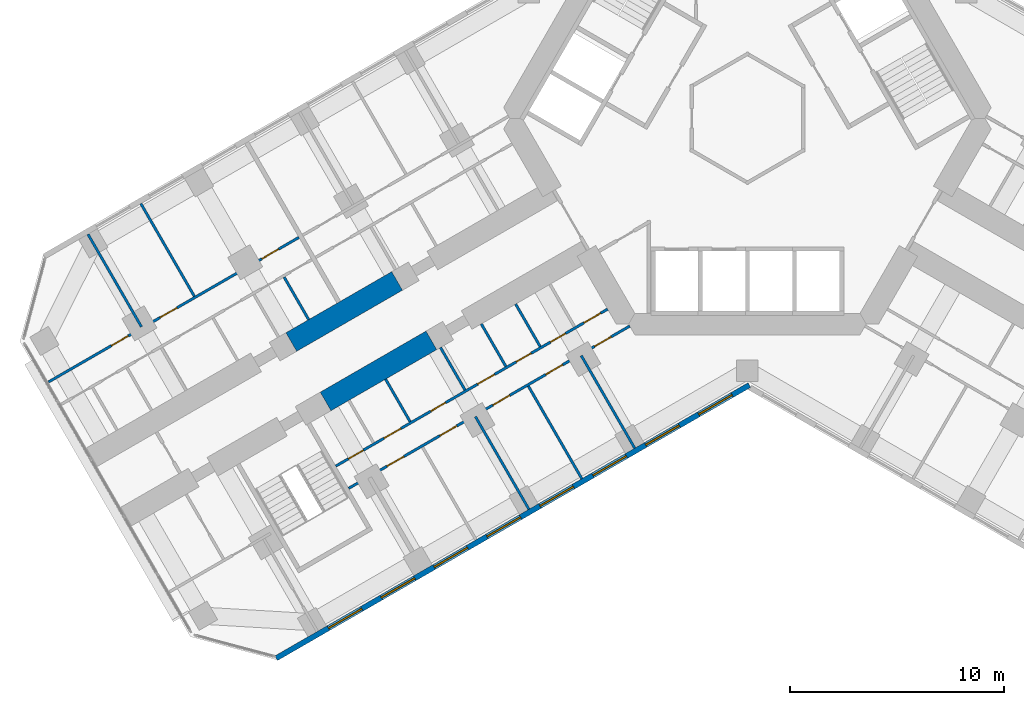
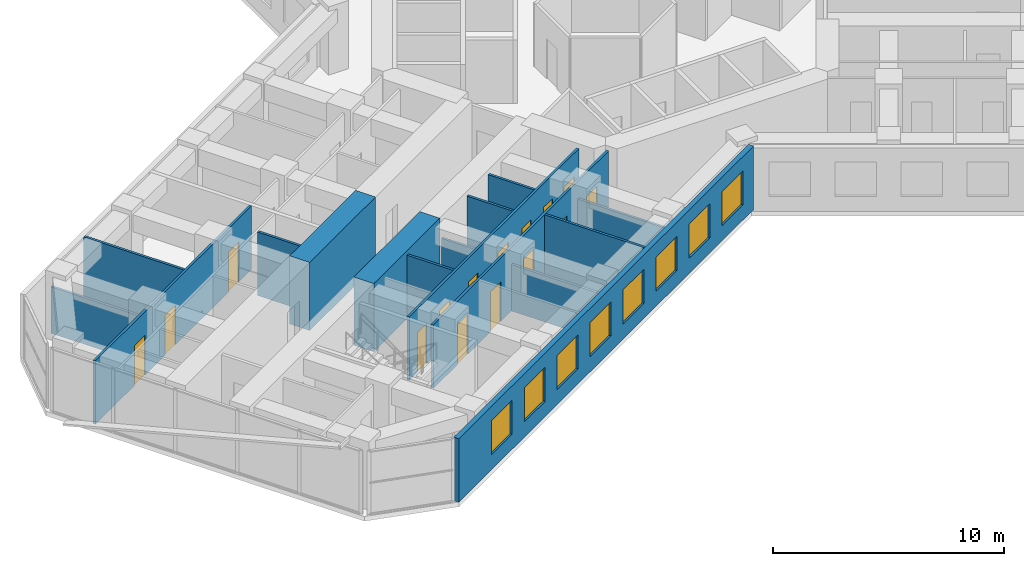
# One storey, part 11 of 21: 16 walls, 15 doors, 8 windows, 23 openings.
"""IFC4 building model written with IfcOpenShell, lengths in metres."""

import ifcopenshell
import ifcopenshell.guid

model = None  # the IFC model being written
_history = None  # IfcOwnerHistory: only IFC2X3 demands one
_inside = {}  # id of a spatial element -> (the spatial element, [elements in it])
_under = {}  # id of a project, library or spatial element -> (it, [spatial elements below it])
_declared = {}  # id of a project -> (the project, [libraries it declares])
_typed = {}  # id of a type object -> (the type object, [elements of that type])
_made_of = {}  # id of a material, layer set ... -> (it, [elements and type objects made of it])


def new_model(schema):
    """Start an empty IFC model of exactly this schema.

    Asked for "IFC4X3", IfcOpenShell would pick the latest addendum, in which some entities
    have other attributes; the version numbers below select the first issue.
    IFC2X3 requires an IfcOwnerHistory on every rooted entity: one is made here for all.
    """
    global model, _history
    if schema == "IFC4X3":
        model = ifcopenshell.file(schema_version=(4, 3, 0, 0))
    else:
        model = ifcopenshell.file(schema=schema)
    _inside.clear()
    _under.clear()
    _declared.clear()
    _typed.clear()
    _made_of.clear()
    _history = None
    if model.schema == "IFC2X3":
        org = make("IfcOrganization", Name="unknown")
        user = make(
            "IfcPersonAndOrganization",
            ThePerson=make("IfcPerson", FamilyName="unknown"),
            TheOrganization=org,
        )
        app = make(
            "IfcApplication",
            ApplicationDeveloper=org,
            Version="unknown",
            ApplicationFullName="unknown",
            ApplicationIdentifier="unknown",
        )
        _history = make(
            "IfcOwnerHistory",
            OwningUser=user,
            OwningApplication=app,
            ChangeAction="ADDED",
            CreationDate=0,
        )
    return model


def make(cls, **values):
    """One entity of the class cls with the attributes given. An attribute that is None is left unset."""
    return model.create_entity(
        cls, **{name: value for name, value in values.items() if value is not None}
    )


def rooted(cls, **values):
    """An entity with a GlobalId (a new one), such as an element, a storey or a relation."""
    return make(cls, GlobalId=ifcopenshell.guid.new(), OwnerHistory=_history, **values)


def si_unit(unit_type, name, prefix=None):
    """IfcSIUnit, for example si_unit("LENGTHUNIT", "METRE", prefix="MILLI")."""
    return make("IfcSIUnit", UnitType=unit_type, Prefix=prefix, Name=name)


def assignment(units):
    """IfcUnitAssignment: the units of a project."""
    return None if units is None else make("IfcUnitAssignment", Units=units)


def point(xyz):
    """IfcCartesianPoint."""
    return None if xyz is None else make("IfcCartesianPoint", Coordinates=xyz)


def direction(xyz):
    """IfcDirection."""
    return None if xyz is None else make("IfcDirection", DirectionRatios=xyz)


def frame(location, z_axis=None, x_axis=None):
    """IfcAxis2Placement3D, a coordinate frame: its origin and axes. An axis left out is left unset."""
    return make(
        "IfcAxis2Placement3D",
        Location=point(location),
        Axis=direction(z_axis),
        RefDirection=direction(x_axis),
    )


def frame_2d(location, x_axis=None):
    """IfcAxis2Placement2D, a coordinate frame in the plane: its origin and x axis."""
    return make(
        "IfcAxis2Placement2D", Location=point(location), RefDirection=direction(x_axis)
    )


def origin():
    """The frame at (0, 0, 0) with its axes left unset."""
    return frame((0.0, 0.0, 0.0))


def place(relative_to, where):
    """IfcLocalPlacement: puts the frame where relative to a parent placement (None: the world)."""
    return make(
        "IfcLocalPlacement", PlacementRelTo=relative_to, RelativePlacement=where
    )


def context(
    kind, dimensions, precision=None, world=None, true_north=None, identifier=None
):
    """IfcGeometricRepresentationContext, for example the 3D "Model" context."""
    return make(
        "IfcGeometricRepresentationContext",
        ContextIdentifier=identifier,
        ContextType=kind,
        CoordinateSpaceDimension=dimensions,
        Precision=precision,
        WorldCoordinateSystem=world,
        TrueNorth=true_north,
    )


def subcontext(parent, identifier, kind, view, scale=None):
    """IfcGeometricRepresentationSubContext, for example "Body" below "Model"."""
    return make(
        "IfcGeometricRepresentationSubContext",
        ContextIdentifier=identifier,
        ContextType=kind,
        ParentContext=parent,
        TargetScale=scale,
        TargetView=view,
    )


def project(units=None, contexts=None):
    """IfcProject with its units and contexts."""
    return rooted(
        "IfcProject",
        Name="project",
        RepresentationContexts=contexts,
        UnitsInContext=assignment(units),
    )


def spatial(cls, under=None, at=None, **own):
    """A site, building, storey or space (cls), placed at a placement, below another one or the project."""
    s = rooted(cls, ObjectPlacement=at, **own)
    if under is not None:
        _under.setdefault(under.id(), (under, []))[1].append(s)
    return s


def profile(cls, at=None, kind="AREA", **sizes):
    """A parametric profile (cls). Its sizes go by their IFC names, for example OverallWidth=200.0."""
    return make(cls, ProfileType=kind, Position=at, **sizes)


def rectangle(**sizes):
    """IfcRectangleProfileDef."""
    return profile("IfcRectangleProfileDef", **sizes)


def extrude(swept, where, along, depth):
    """IfcExtrudedAreaSolid: the profile swept, set in the frame where, extruded along a direction by depth."""
    return make(
        "IfcExtrudedAreaSolid",
        SweptArea=swept,
        Position=where,
        ExtrudedDirection=direction(along),
        Depth=depth,
    )


def shape(context_of_items, identifier, shape_type, items):
    """IfcShapeRepresentation: the items that make up one representation, for example the "Body"."""
    return make(
        "IfcShapeRepresentation",
        ContextOfItems=context_of_items,
        RepresentationIdentifier=identifier,
        RepresentationType=shape_type,
        Items=items,
    )


def material(Name=None, Category=None):
    """IfcMaterial."""
    return make("IfcMaterial", Name=Name, Category=Category)


def layer(
    of_material, thickness, ventilated=None, Name=None, Category=None, Priority=None
):
    """IfcMaterialLayer: one layer of a wall or slab, of a material (None: an air gap)."""
    return make(
        "IfcMaterialLayer",
        Material=of_material,
        LayerThickness=thickness,
        IsVentilated=ventilated,
        Name=Name,
        Category=Category,
        Priority=Priority,
    )


def layer_set(layers, Name=None):
    """IfcMaterialLayerSet."""
    return make("IfcMaterialLayerSet", MaterialLayers=layers, LayerSetName=Name)


def made_of(thing, what):
    """Note that an element or type object is made of a material, layer set ...; save() writes the relation."""
    if what is not None:
        _made_of.setdefault(what.id(), (what, []))[1].append(thing)
    return thing


def type_object(cls, material=None, **own):
    """A type object (cls), such as IfcWallType, which elements share."""
    return made_of(rooted(cls, **own), material)


def element(
    cls,
    number,
    at=None,
    inside=None,
    cuts=None,
    type_object=None,
    material=None,
    context=None,
    identifier="Body",
    shape_type=None,
    held_by="IfcProductDefinitionShape",
    body=None,
    shapes=None,
    **own,
):
    """One element of the class cls, such as IfcWall. Its Tag is "e" and its number.

    at: its placement. inside: the storey or other place that contains it. cuts: it is an
    opening in that element (IfcRelVoidsElement). A single representation is given by context,
    identifier, shape_type and body (its items); several are given by shapes. held_by: the class
    of the entity that holds the representations. save() writes the other relations.
    """
    e = rooted(cls, Tag="e%d" % number, ObjectPlacement=at, **own)
    if body is not None:
        shapes = [shape(context, identifier, shape_type, body)]
    if shapes is not None:
        e.Representation = make(held_by, Representations=shapes)
    if inside is not None:
        _inside.setdefault(inside.id(), (inside, []))[1].append(e)
    if cuts is not None:
        rooted(
            "IfcRelVoidsElement", RelatingBuildingElement=cuts, RelatedOpeningElement=e
        )
    if type_object is not None:
        _typed.setdefault(type_object.id(), (type_object, []))[1].append(e)
    return made_of(e, material)


def fill(opening, filler):
    """IfcRelFillsElement: the door or window that sits in an opening."""
    return rooted(
        "IfcRelFillsElement",
        RelatingOpeningElement=opening,
        RelatedBuildingElement=filler,
    )


def aggregate(whole, parts):
    """IfcRelAggregates: a whole, such as a stair, and the parts it consists of."""
    return rooted("IfcRelAggregates", RelatingObject=whole, RelatedObjects=parts)


def save(model, path):
    """Write the relations noted so far, then the file.

    IfcRelAggregates (storeys below a building ...), IfcRelContainedInSpatialStructure (elements
    in a storey), IfcRelDefinesByType, IfcRelAssociatesMaterial and IfcRelDeclares: one each for
    every whole, place, type object, material and project.
    """
    for whole, parts in _under.values():
        aggregate(whole, parts)
    for where, things in _inside.values():
        rooted(
            "IfcRelContainedInSpatialStructure",
            RelatedElements=things,
            RelatingStructure=where,
        )
    for kind, things in _typed.values():
        rooted("IfcRelDefinesByType", RelatedObjects=things, RelatingType=kind)
    for what, things in _made_of.values():
        rooted("IfcRelAssociatesMaterial", RelatedObjects=things, RelatingMaterial=what)
    for by, libraries in _declared.values():
        rooted("IfcRelDeclares", RelatingContext=by, RelatedDefinitions=libraries)
    model.write(path)


model = new_model("IFC4")

# Units and contexts
model_context = context("Model", 3, precision=1e-05, world=origin(), true_north=direction((0.0, 1.0)))
body_context = subcontext(model_context, "Body", "Model", "MODEL_VIEW")
ifc_project = project(units=[si_unit("LENGTHUNIT", "METRE"), si_unit("AREAUNIT", "SQUARE_METRE"), si_unit("VOLUMEUNIT", "CUBIC_METRE"), si_unit("PLANEANGLEUNIT", "RADIAN"), si_unit("MASSUNIT", "GRAM", prefix="KILO")], contexts=[model_context])

# Site, building, storey
site_placement = place(None, origin())
site = spatial("IfcSite", under=ifc_project, at=site_placement, CompositionType="ELEMENT")
building_placement = place(site_placement, origin())
building = spatial("IfcBuilding", under=site, at=building_placement, Name="Kosmar Iwan School Tower", CompositionType="ELEMENT")
storey_placement = place(building_placement, frame((0.0, 0.0, 68.199951171875)))
storey = spatial("IfcBuildingStorey", under=building, at=storey_placement, Name="L16", CompositionType="ELEMENT", Elevation=68.199951171875)

# Walls
ifc_material_1 = material(Name="Concrete C50/60", Category="concrete")
ifc_layer_1 = layer(ifc_material_1, 1.0)
ifc_layer_set_1 = layer_set([ifc_layer_1], Name="Corridor buttress wall 1000")
wall_type_1 = type_object("IfcWallType", Name="Corridor buttress wall 1000", PredefinedType="SHEAR", material=ifc_layer_set_1)
for number, where, z_axis, x_axis, name in (
    (1, (-14.7451171875, -10.360595703125, 0.0), (0.0, 0.0, 1.0), (-0.866015111908, -0.50001782563, 0.0), "Corridor wall BL bay 2"),
    (2, (-16.34521484375, -7.58935546875, 0.0), (0.0, 0.0, 1.0), (-0.866015111908, -0.50001782563, 0.0), "Corridor wall BR bay 2"),
):
    element("IfcWall", number, at=place(storey_placement, frame(where, z_axis=z_axis, x_axis=x_axis)), inside=storey, type_object=wall_type_1, Name=name, PredefinedType="SHEAR", context=body_context, shape_type="SweptSolid", body=[
        extrude(rectangle(XDim=5.699951171875, YDim=1.0, at=frame_2d((2.85009765625, 0.0))), origin(), (0.0, 0.0, 1.0), 3.60009765625),
    ])

# Wall, openings, doors
ifc_material_2 = material(Name="Gypsum board on steel studs", Category="steel")
ifc_layer_2 = layer(ifc_material_2, 0.1201171875)
ifc_layer_set_2 = layer_set([ifc_layer_2], Name="Dwelling partition 120")
wall_type_2 = type_object("IfcWallType", Name="Dwelling partition 120", PredefinedType="PARTITIONING", material=ifc_layer_set_2)
wall_1_placement = place(storey_placement, frame((-6.521728515625, -8.90380859375, 0.0), z_axis=(0.0, 0.0, 1.0), x_axis=(-0.866030734856, -0.4999907662, 0.0)))
wall_1 = element("IfcWall", 3, at=wall_1_placement, inside=storey, type_object=wall_type_2, Name="Partition L16-BL1-W1", PredefinedType="PARTITIONING", context=body_context, shape_type="SweptSolid", body=[
    extrude(rectangle(XDim=14.650146484375, YDim=0.1201171875, at=frame_2d((7.3251953125, 0.0))), origin(), (0.0, 0.0, 1.0), 3.35009765625),
])
opening_1_placement = place(wall_1_placement, frame((0.375, 0.0, 0.0)))
opening_1 = element("IfcOpeningElement", 4, at=opening_1_placement, cuts=wall_1, Name="Opening D2", PredefinedType="OPENING", context=body_context, shape_type="SweptSolid", body=[
    extrude(rectangle(XDim=0.89990234375, YDim=2.10009765625, at=frame_2d((0.449951171875, 1.050048828125))), frame((0.0, 0.072021484375, 0.0), z_axis=(0.0, -1.0, 0.0), x_axis=(1.0, 0.0, 0.0)), (0.0, 0.0, 1.0), 0.14404296875),
])
opening_2_placement = place(wall_1_placement, frame((2.27490234375, 0.0, 0.0)))
opening_2 = element("IfcOpeningElement", 5, at=opening_2_placement, cuts=wall_1, Name="Opening D3", PredefinedType="OPENING", context=body_context, shape_type="SweptSolid", body=[
    extrude(rectangle(XDim=0.800048828125, YDim=2.10009765625, at=frame_2d((0.39990234375, 1.050048828125))), frame((0.0, 0.072021484375, 0.0), z_axis=(0.0, -1.0, 0.0), x_axis=(1.0, 0.0, 0.0)), (0.0, 0.0, 1.0), 0.14404296875),
])
opening_3_placement = place(wall_1_placement, frame((4.125, 0.0, 0.0)))
opening_3 = element("IfcOpeningElement", 6, at=opening_3_placement, cuts=wall_1, Name="Opening D3", PredefinedType="OPENING", context=body_context, shape_type="SweptSolid", body=[
    extrude(rectangle(XDim=0.800048828125, YDim=2.10009765625, at=frame_2d((0.39990234375, 1.050048828125))), frame((0.0, 0.072021484375, 0.0), z_axis=(0.0, -1.0, 0.0), x_axis=(1.0, 0.0, 0.0)), (0.0, 0.0, 1.0), 0.14404296875),
])
opening_4_placement = place(wall_1_placement, frame((6.10009765625, 0.0, 0.0)))
opening_4 = element("IfcOpeningElement", 7, at=opening_4_placement, cuts=wall_1, Name="Opening D2", PredefinedType="OPENING", context=body_context, shape_type="SweptSolid", body=[
    extrude(rectangle(XDim=0.89990234375, YDim=2.10009765625, at=frame_2d((0.449951171875, 1.050048828125))), frame((0.0, 0.072021484375, 0.0), z_axis=(0.0, -1.0, 0.0), x_axis=(1.0, 0.0, 0.0)), (0.0, 0.0, 1.0), 0.14404296875),
])
opening_5_placement = place(wall_1_placement, frame((8.728515625, 0.0, 0.0)))
opening_5 = element("IfcOpeningElement", 8, at=opening_5_placement, cuts=wall_1, Name="Opening D3", PredefinedType="OPENING", context=body_context, shape_type="SweptSolid", body=[
    extrude(rectangle(XDim=0.800048828125, YDim=2.10009765625, at=frame_2d((0.39990234375, 1.050048828125))), frame((0.0, 0.072021484375, 0.0), z_axis=(0.0, -1.0, 0.0), x_axis=(1.0, 0.0, 0.0)), (0.0, 0.0, 1.0), 0.14404296875),
])
opening_6_placement = place(wall_1_placement, frame((11.142822265625, 0.0, 0.0)))
opening_6 = element("IfcOpeningElement", 9, at=opening_6_placement, cuts=wall_1, Name="Opening D2", PredefinedType="OPENING", context=body_context, shape_type="SweptSolid", body=[
    extrude(rectangle(XDim=0.89990234375, YDim=2.10009765625, at=frame_2d((0.449951171875, 1.050048828125))), frame((0.0, 0.072021484375, 0.0), z_axis=(0.0, -1.0, 0.0), x_axis=(1.0, 0.0, 0.0)), (0.0, 0.0, 1.0), 0.14404296875),
])
opening_7_placement = place(wall_1_placement, frame((13.164306640625, 0.0, 0.0)))
opening_7 = element("IfcOpeningElement", 10, at=opening_7_placement, cuts=wall_1, Name="Opening D3", PredefinedType="OPENING", context=body_context, shape_type="SweptSolid", body=[
    extrude(rectangle(XDim=0.800048828125, YDim=2.10009765625, at=frame_2d((0.39990234375, 1.050048828125))), frame((0.0, 0.072021484375, 0.0), z_axis=(0.0, -1.0, 0.0), x_axis=(1.0, 0.0, 0.0)), (0.0, 0.0, 1.0), 0.14404296875),
])
ifc_material_3 = material(Name="Timber door in timber frame", Category="wood")
door_type_1 = type_object("IfcDoorType", Name="Internal door 900x2100", OperationType="SINGLE_SWING_LEFT", PredefinedType="DOOR", material=ifc_material_3)
door_1_placement = place(opening_1_placement, origin())
door_1 = element("IfcDoor", 11, at=door_1_placement, inside=storey, type_object=door_type_1, Name="Utility room door L16-BL1-S1", OperationType="SINGLE_SWING_LEFT", OverallHeight=2.10009765625, OverallWidth=0.89990234375, PredefinedType="DOOR", context=body_context, shape_type="SweptSolid", body=[
    extrude(rectangle(XDim=0.89990234375, YDim=2.10009765625, at=frame_2d((0.449951171875, 1.050048828125))), frame((0.0, 0.02490234375, 0.0), z_axis=(0.0, -1.0, 0.0), x_axis=(1.0, 0.0, 0.0)), (0.0, 0.0, 1.0), 0.050048828125),
])
fill(opening_1, door_1)
door_2_placement = place(opening_4_placement, origin())
door_2 = element("IfcDoor", 12, at=door_2_placement, inside=storey, type_object=door_type_1, Name="Entrance hall door L16-BL1-S4", OperationType="SINGLE_SWING_LEFT", OverallHeight=2.10009765625, OverallWidth=0.89990234375, PredefinedType="DOOR", context=body_context, shape_type="SweptSolid", body=[
    extrude(rectangle(XDim=0.89990234375, YDim=2.10009765625, at=frame_2d((0.449951171875, 1.050048828125))), frame((0.0, 0.02490234375, 0.0), z_axis=(0.0, -1.0, 0.0), x_axis=(1.0, 0.0, 0.0)), (0.0, 0.0, 1.0), 0.050048828125),
])
fill(opening_4, door_2)
door_3_placement = place(opening_6_placement, origin())
door_3 = element("IfcDoor", 13, at=door_3_placement, inside=storey, type_object=door_type_1, Name="Pantry door L16-BL1-S6", OperationType="SINGLE_SWING_RIGHT", OverallHeight=2.10009765625, OverallWidth=0.89990234375, PredefinedType="DOOR", context=body_context, shape_type="SweptSolid", body=[
    extrude(rectangle(XDim=0.89990234375, YDim=2.10009765625, at=frame_2d((0.449951171875, 1.050048828125))), frame((0.0, 0.02490234375, 0.0), z_axis=(0.0, -1.0, 0.0), x_axis=(1.0, 0.0, 0.0)), (0.0, 0.0, 1.0), 0.050048828125),
])
fill(opening_6, door_3)
ifc_material_4 = material(Name="Timber door in timber frame", Category="wood")
door_type_2 = type_object("IfcDoorType", Name="Sanitary room door 800x2100", OperationType="SINGLE_SWING_LEFT", PredefinedType="DOOR", material=ifc_material_4)
door_4_placement = place(opening_2_placement, origin())
door_4 = element("IfcDoor", 14, at=door_4_placement, inside=storey, type_object=door_type_2, Name="WC door L16-BL1-S2", OperationType="SINGLE_SWING_LEFT", OverallHeight=2.10009765625, OverallWidth=0.800048828125, PredefinedType="DOOR", context=body_context, shape_type="SweptSolid", body=[
    extrude(rectangle(XDim=0.800048828125, YDim=2.10009765625, at=frame_2d((0.39990234375, 1.050048828125))), frame((0.0, 0.02490234375, 0.0), z_axis=(0.0, -1.0, 0.0), x_axis=(1.0, 0.0, 0.0)), (0.0, 0.0, 1.0), 0.050048828125),
])
fill(opening_2, door_4)
door_5_placement = place(opening_3_placement, origin())
door_5 = element("IfcDoor", 15, at=door_5_placement, inside=storey, type_object=door_type_2, Name="Shower room door L16-BL1-S3", OperationType="SINGLE_SWING_LEFT", OverallHeight=2.10009765625, OverallWidth=0.800048828125, PredefinedType="DOOR", context=body_context, shape_type="SweptSolid", body=[
    extrude(rectangle(XDim=0.800048828125, YDim=2.10009765625, at=frame_2d((0.39990234375, 1.050048828125))), frame((0.0, 0.02490234375, 0.0), z_axis=(0.0, -1.0, 0.0), x_axis=(1.0, 0.0, 0.0)), (0.0, 0.0, 1.0), 0.050048828125),
])
fill(opening_3, door_5)
door_6_placement = place(opening_5_placement, origin())
door_6 = element("IfcDoor", 16, at=door_6_placement, inside=storey, type_object=door_type_2, Name="Bathroom door L16-BL1-S5", OperationType="SINGLE_SWING_RIGHT", OverallHeight=2.10009765625, OverallWidth=0.800048828125, PredefinedType="DOOR", context=body_context, shape_type="SweptSolid", body=[
    extrude(rectangle(XDim=0.800048828125, YDim=2.10009765625, at=frame_2d((0.39990234375, 1.050048828125))), frame((0.0, 0.02490234375, 0.0), z_axis=(0.0, -1.0, 0.0), x_axis=(1.0, 0.0, 0.0)), (0.0, 0.0, 1.0), 0.050048828125),
])
fill(opening_5, door_6)
door_7_placement = place(opening_7_placement, origin())
door_7 = element("IfcDoor", 17, at=door_7_placement, inside=storey, type_object=door_type_2, Name="Store door L16-BL1-S7", OperationType="SINGLE_SWING_RIGHT", OverallHeight=2.10009765625, OverallWidth=0.800048828125, PredefinedType="DOOR", context=body_context, shape_type="SweptSolid", body=[
    extrude(rectangle(XDim=0.800048828125, YDim=2.10009765625, at=frame_2d((0.39990234375, 1.050048828125))), frame((0.0, 0.02490234375, 0.0), z_axis=(0.0, -1.0, 0.0), x_axis=(1.0, 0.0, 0.0)), (0.0, 0.0, 1.0), 0.050048828125),
])
fill(opening_7, door_7)

wall_2_placement = place(storey_placement, frame((-5.48876953125, -9.693115234375, 0.0), z_axis=(0.0, 0.0, 1.0), x_axis=(-0.866028061085, -0.499995397393, 0.0)))
wall_2 = element("IfcWall", 18, at=wall_2_placement, inside=storey, type_object=wall_type_2, Name="Partition L16-BL1-W2", PredefinedType="PARTITIONING", context=body_context, shape_type="SweptSolid", body=[
    extrude(rectangle(XDim=15.150146484375, YDim=0.1201171875, at=frame_2d((7.5751953125, 0.0))), origin(), (0.0, 0.0, 1.0), 3.35009765625),
])
opening_8_placement = place(wall_2_placement, frame((1.0, 0.0, 0.0)))
opening_8 = element("IfcOpeningElement", 19, at=opening_8_placement, cuts=wall_2, Name="Opening D2", PredefinedType="OPENING", context=body_context, shape_type="SweptSolid", body=[
    extrude(rectangle(XDim=0.89990234375, YDim=2.10009765625, at=frame_2d((0.449951171875, 1.050048828125))), frame((0.0, 0.072021484375, 0.0), z_axis=(0.0, -1.0, 0.0), x_axis=(1.0, 0.0, 0.0)), (0.0, 0.0, 1.0), 0.14404296875),
])
opening_9_placement = place(wall_2_placement, frame((3.625, 0.0, 0.0)))
opening_9 = element("IfcOpeningElement", 20, at=opening_9_placement, cuts=wall_2, Name="Opening D2", PredefinedType="OPENING", context=body_context, shape_type="SweptSolid", body=[
    extrude(rectangle(XDim=0.89990234375, YDim=2.10009765625, at=frame_2d((0.449951171875, 1.050048828125))), frame((0.0, 0.072021484375, 0.0), z_axis=(0.0, -1.0, 0.0), x_axis=(1.0, 0.0, 0.0)), (0.0, 0.0, 1.0), 0.14404296875),
])
opening_10_placement = place(wall_2_placement, frame((6.47509765625, 0.0, 0.0)))
opening_10 = element("IfcOpeningElement", 21, at=opening_10_placement, cuts=wall_2, Name="Opening D2", PredefinedType="OPENING", context=body_context, shape_type="SweptSolid", body=[
    extrude(rectangle(XDim=0.89990234375, YDim=2.10009765625, at=frame_2d((0.449951171875, 1.050048828125))), frame((0.0, 0.072021484375, 0.0), z_axis=(0.0, -1.0, 0.0), x_axis=(1.0, 0.0, 0.0)), (0.0, 0.0, 1.0), 0.14404296875),
])
opening_11_placement = place(wall_2_placement, frame((9.324951171875, 0.0, 0.0)))
opening_11 = element("IfcOpeningElement", 22, at=opening_11_placement, cuts=wall_2, Name="Opening D2", PredefinedType="OPENING", context=body_context, shape_type="SweptSolid", body=[
    extrude(rectangle(XDim=0.89990234375, YDim=2.10009765625, at=frame_2d((0.449951171875, 1.050048828125))), frame((0.0, 0.072021484375, 0.0), z_axis=(0.0, -1.0, 0.0), x_axis=(1.0, 0.0, 0.0)), (0.0, 0.0, 1.0), 0.14404296875),
])
opening_12_placement = place(wall_2_placement, frame((12.175048828125, 0.0, 0.0)))
opening_12 = element("IfcOpeningElement", 23, at=opening_12_placement, cuts=wall_2, Name="Opening D2", PredefinedType="OPENING", context=body_context, shape_type="SweptSolid", body=[
    extrude(rectangle(XDim=0.89990234375, YDim=2.10009765625, at=frame_2d((0.449951171875, 1.050048828125))), frame((0.0, 0.072021484375, 0.0), z_axis=(0.0, -1.0, 0.0), x_axis=(1.0, 0.0, 0.0)), (0.0, 0.0, 1.0), 0.14404296875),
])
door_8_placement = place(opening_8_placement, origin())
door_8 = element("IfcDoor", 24, at=door_8_placement, inside=storey, type_object=door_type_1, Name="Living room and kitchen door L16-BL1-F1", OperationType="SINGLE_SWING_LEFT", OverallHeight=2.10009765625, OverallWidth=0.89990234375, PredefinedType="DOOR", context=body_context, shape_type="SweptSolid", body=[
    extrude(rectangle(XDim=0.89990234375, YDim=2.10009765625, at=frame_2d((0.449951171875, 1.050048828125))), frame((0.0, 0.02490234375, 0.0), z_axis=(0.0, -1.0, 0.0), x_axis=(1.0, 0.0, 0.0)), (0.0, 0.0, 1.0), 0.050048828125),
])
fill(opening_8, door_8)
door_9_placement = place(opening_9_placement, origin())
door_9 = element("IfcDoor", 25, at=door_9_placement, inside=storey, type_object=door_type_1, Name="Study door L16-BL1-F2", OperationType="SINGLE_SWING_RIGHT", OverallHeight=2.10009765625, OverallWidth=0.89990234375, PredefinedType="DOOR", context=body_context, shape_type="SweptSolid", body=[
    extrude(rectangle(XDim=0.89990234375, YDim=2.10009765625, at=frame_2d((0.449951171875, 1.050048828125))), frame((0.0, 0.02490234375, 0.0), z_axis=(0.0, -1.0, 0.0), x_axis=(1.0, 0.0, 0.0)), (0.0, 0.0, 1.0), 0.050048828125),
])
fill(opening_9, door_9)
door_10_placement = place(opening_10_placement, origin())
door_10 = element("IfcDoor", 26, at=door_10_placement, inside=storey, type_object=door_type_1, Name="Bedroom 1 door L16-BL1-F3", OperationType="SINGLE_SWING_LEFT", OverallHeight=2.10009765625, OverallWidth=0.89990234375, PredefinedType="DOOR", context=body_context, shape_type="SweptSolid", body=[
    extrude(rectangle(XDim=0.89990234375, YDim=2.10009765625, at=frame_2d((0.449951171875, 1.050048828125))), frame((0.0, 0.02490234375, 0.0), z_axis=(0.0, -1.0, 0.0), x_axis=(1.0, 0.0, 0.0)), (0.0, 0.0, 1.0), 0.050048828125),
])
fill(opening_10, door_10)
door_11_placement = place(opening_11_placement, origin())
door_11 = element("IfcDoor", 27, at=door_11_placement, inside=storey, type_object=door_type_1, Name="Study door L16-BL1-F4", OperationType="SINGLE_SWING_RIGHT", OverallHeight=2.10009765625, OverallWidth=0.89990234375, PredefinedType="DOOR", context=body_context, shape_type="SweptSolid", body=[
    extrude(rectangle(XDim=0.89990234375, YDim=2.10009765625, at=frame_2d((0.449951171875, 1.050048828125))), frame((0.0, 0.02490234375, 0.0), z_axis=(0.0, -1.0, 0.0), x_axis=(1.0, 0.0, 0.0)), (0.0, 0.0, 1.0), 0.050048828125),
])
fill(opening_11, door_11)
door_12_placement = place(opening_12_placement, origin())
door_12 = element("IfcDoor", 28, at=door_12_placement, inside=storey, type_object=door_type_1, Name="Bedroom 2 door L16-BL1-F5", OperationType="SINGLE_SWING_LEFT", OverallHeight=2.10009765625, OverallWidth=0.89990234375, PredefinedType="DOOR", context=body_context, shape_type="SweptSolid", body=[
    extrude(rectangle(XDim=0.89990234375, YDim=2.10009765625, at=frame_2d((0.449951171875, 1.050048828125))), frame((0.0, 0.02490234375, 0.0), z_axis=(0.0, -1.0, 0.0), x_axis=(1.0, 0.0, 0.0)), (0.0, 0.0, 1.0), 0.050048828125),
])
fill(opening_12, door_12)

# Walls
wall_3_placement = place(storey_placement, frame((-7.75390625, -11.070068359375, 0.0), z_axis=(0.0, 0.0, 1.0), x_axis=(0.500033033937, -0.866006330792, 0.0)))
element("IfcWall", 29, at=wall_3_placement, inside=storey, type_object=wall_type_2, Name="Partition L16-BL1-X1", PredefinedType="PARTITIONING", context=body_context, shape_type="SweptSolid", body=[
    extrude(rectangle(XDim=4.989990234375, YDim=0.1201171875, at=frame_2d((2.4951171875, 0.0))), origin(), (0.0, 0.0, 1.0), 2.449951171875),
])
wall_4_placement = place(storey_placement, frame((-10.221923828125, -12.4951171875, 0.0), z_axis=(0.0, 0.0, 1.0), x_axis=(0.499996339024, -0.86602751744, 0.0)))
element("IfcWall", 30, at=wall_4_placement, inside=storey, type_object=wall_type_2, Name="Partition L16-BL1-X2", PredefinedType="PARTITIONING", context=body_context, shape_type="SweptSolid", body=[
    extrude(rectangle(XDim=4.98974609375, YDim=0.1201171875, at=frame_2d((2.494873046875, 0.0))), origin(), (0.0, 0.0, 1.0), 3.35009765625),
])
wall_5_placement = place(storey_placement, frame((-12.690185546875, -13.919921875, 0.0), z_axis=(0.0, 0.0, 1.0), x_axis=(0.500011847778, -0.866018563358, 0.0)))
element("IfcWall", 31, at=wall_5_placement, inside=storey, type_object=wall_type_2, Name="Partition L16-BL1-X3", PredefinedType="PARTITIONING", context=body_context, shape_type="SweptSolid", body=[
    extrude(rectangle(XDim=4.990234375, YDim=0.1201171875, at=frame_2d((2.4951171875, 0.0))), origin(), (0.0, 0.0, 1.0), 2.449951171875),
])
for number, where, z_axis, x_axis, name in (
    (32, (-10.814453125, -8.668701171875, 0.0), (0.0, 0.0, 1.0), (0.500014693593, -0.866016920268, 0.0), "Partition L16-BL1-Y2"),
    (33, (-12.416748046875, -9.59375, 0.0), (0.0, 0.0, 1.0), (0.500014693593, -0.866016920268, 0.0), "Partition L16-BL1-Y3"),
):
    element("IfcWall", number, at=place(storey_placement, frame(where, z_axis=z_axis, x_axis=x_axis)), inside=storey, type_object=wall_type_2, Name=name, PredefinedType="PARTITIONING", context=body_context, shape_type="SweptSolid", body=[
        extrude(rectangle(XDim=2.2900390625, YDim=0.1201171875, at=frame_2d((1.14501953125, 0.0))), origin(), (0.0, 0.0, 1.0), 3.35009765625),
    ])
wall_6_placement = place(storey_placement, frame((-14.322021484375, -10.693603515625, 0.0), z_axis=(0.0, 0.0, 1.0), x_axis=(0.500014693593, -0.866016920268, 0.0)))
element("IfcWall", 34, at=wall_6_placement, inside=storey, type_object=wall_type_2, Name="Partition L16-BL1-Y4", PredefinedType="PARTITIONING", context=body_context, shape_type="SweptSolid", body=[
    extrude(rectangle(XDim=2.2900390625, YDim=0.1201171875, at=frame_2d((1.14501953125, 0.0))), origin(), (0.0, 0.0, 1.0), 2.449951171875),
])
wall_7_placement = place(storey_placement, frame((-16.8828125, -12.172119140625, 0.0), z_axis=(0.0, 0.0, 1.0), x_axis=(0.499968531483, -0.866043571379, 0.0)))
element("IfcWall", 35, at=wall_7_placement, inside=storey, type_object=wall_type_2, Name="Partition L16-BL1-Y5", PredefinedType="PARTITIONING", context=body_context, shape_type="SweptSolid", body=[
    extrude(rectangle(XDim=2.290283203125, YDim=0.1201171875, at=frame_2d((1.14501953125, 0.0))), origin(), (0.0, 0.0, 1.0), 3.35009765625),
])

# Wall, openings, doors
wall_8_placement = place(storey_placement, frame((-20.9248046875, -5.556884765625, 0.0), z_axis=(0.0, 0.0, 1.0), x_axis=(-0.866028025956, -0.499995458239, 0.0)))
wall_8 = element("IfcWall", 36, at=wall_8_placement, inside=storey, type_object=wall_type_2, Name="Partition L16-BR2-W2", PredefinedType="PARTITIONING", context=body_context, shape_type="SweptSolid", body=[
    extrude(rectangle(XDim=13.495361328125, YDim=0.1201171875, at=frame_2d((6.74755859375, 0.0))), origin(), (0.0, 0.0, 1.0), 3.35009765625),
])
opening_13_placement = place(wall_8_placement, frame((1.10009765625, 0.0, 0.0)))
opening_13 = element("IfcOpeningElement", 37, at=opening_13_placement, cuts=wall_8, Name="Opening D2", PredefinedType="OPENING", context=body_context, shape_type="SweptSolid", body=[
    extrude(rectangle(XDim=0.89990234375, YDim=2.10009765625, at=frame_2d((0.449951171875, 1.050048828125))), frame((0.0, 0.072021484375, 0.0), z_axis=(0.0, -1.0, 0.0), x_axis=(1.0, 0.0, 0.0)), (0.0, 0.0, 1.0), 0.14404296875),
])
opening_14_placement = place(wall_8_placement, frame((6.574951171875, 0.0, 0.0)))
opening_14 = element("IfcOpeningElement", 38, at=opening_14_placement, cuts=wall_8, Name="Opening D2", PredefinedType="OPENING", context=body_context, shape_type="SweptSolid", body=[
    extrude(rectangle(XDim=0.89990234375, YDim=2.10009765625, at=frame_2d((0.449951171875, 1.050048828125))), frame((0.0, 0.072021484375, 0.0), z_axis=(0.0, -1.0, 0.0), x_axis=(1.0, 0.0, 0.0)), (0.0, 0.0, 1.0), 0.14404296875),
])
opening_15_placement = place(wall_8_placement, frame((9.199951171875, 0.0, 0.0)))
opening_15 = element("IfcOpeningElement", 39, at=opening_15_placement, cuts=wall_8, Name="Opening D2", PredefinedType="OPENING", context=body_context, shape_type="SweptSolid", body=[
    extrude(rectangle(XDim=0.89990234375, YDim=2.10009765625, at=frame_2d((0.449951171875, 1.050048828125))), frame((0.0, 0.072021484375, 0.0), z_axis=(0.0, -1.0, 0.0), x_axis=(1.0, 0.0, 0.0)), (0.0, 0.0, 1.0), 0.14404296875),
])
door_13_placement = place(opening_13_placement, origin())
door_13 = element("IfcDoor", 40, at=door_13_placement, inside=storey, type_object=door_type_1, Name="Living room and kitchen door L16-BR2-F1", OperationType="SINGLE_SWING_LEFT", OverallHeight=2.10009765625, OverallWidth=0.89990234375, PredefinedType="DOOR", context=body_context, shape_type="SweptSolid", body=[
    extrude(rectangle(XDim=0.89990234375, YDim=2.10009765625, at=frame_2d((0.449951171875, 1.050048828125))), frame((0.0, 0.02490234375, 0.0), z_axis=(0.0, -1.0, 0.0), x_axis=(1.0, 0.0, 0.0)), (0.0, 0.0, 1.0), 0.050048828125),
])
fill(opening_13, door_13)
door_14_placement = place(opening_14_placement, origin())
door_14 = element("IfcDoor", 41, at=door_14_placement, inside=storey, type_object=door_type_1, Name="Bedroom 1 door L16-BR2-F2", OperationType="SINGLE_SWING_RIGHT", OverallHeight=2.10009765625, OverallWidth=0.89990234375, PredefinedType="DOOR", context=body_context, shape_type="SweptSolid", body=[
    extrude(rectangle(XDim=0.89990234375, YDim=2.10009765625, at=frame_2d((0.449951171875, 1.050048828125))), frame((0.0, 0.02490234375, 0.0), z_axis=(0.0, -1.0, 0.0), x_axis=(1.0, 0.0, 0.0)), (0.0, 0.0, 1.0), 0.050048828125),
])
fill(opening_14, door_14)
door_15_placement = place(opening_15_placement, origin())
door_15 = element("IfcDoor", 42, at=door_15_placement, inside=storey, type_object=door_type_1, Name="Study door L16-BR2-F3", OperationType="SINGLE_SWING_RIGHT", OverallHeight=2.10009765625, OverallWidth=0.89990234375, PredefinedType="DOOR", context=body_context, shape_type="SweptSolid", body=[
    extrude(rectangle(XDim=0.89990234375, YDim=2.10009765625, at=frame_2d((0.449951171875, 1.050048828125))), frame((0.0, 0.02490234375, 0.0), z_axis=(0.0, -1.0, 0.0), x_axis=(1.0, 0.0, 0.0)), (0.0, 0.0, 1.0), 0.050048828125),
])
fill(opening_15, door_15)

# Walls
wall_9_placement = place(storey_placement, frame((-25.8046875, -8.304931640625, 0.0), z_axis=(0.0, 0.0, 1.0), x_axis=(-0.499975153383, 0.86603974851, 0.0)))
element("IfcWall", 43, at=wall_9_placement, inside=storey, type_object=wall_type_2, Name="Partition L16-BR2-X1", PredefinedType="PARTITIONING", context=body_context, shape_type="SweptSolid", body=[
    extrude(rectangle(XDim=4.989990234375, YDim=0.1201171875, at=frame_2d((2.4951171875, 0.0))), origin(), (0.0, 0.0, 1.0), 3.35009765625),
])
wall_10_placement = place(storey_placement, frame((-28.27294921875, -9.72998046875, 0.0), z_axis=(0.0, 0.0, 1.0), x_axis=(-0.499975153383, 0.86603974851, 0.0)))
element("IfcWall", 44, at=wall_10_placement, inside=storey, type_object=wall_type_2, Name="Partition L16-BR2-X2", PredefinedType="PARTITIONING", context=body_context, shape_type="SweptSolid", body=[
    extrude(rectangle(XDim=4.989990234375, YDim=0.1201171875, at=frame_2d((2.4951171875, 0.0))), origin(), (0.0, 0.0, 1.0), 2.449951171875),
])
wall_11_placement = place(storey_placement, frame((-20.470703125, -9.393798828125, 0.0), z_axis=(0.0, 0.0, 1.0), x_axis=(-0.500014693593, 0.866016920268, 0.0)))
element("IfcWall", 45, at=wall_11_placement, inside=storey, type_object=wall_type_2, Name="Partition L16-BR2-Y1", PredefinedType="PARTITIONING", context=body_context, shape_type="SweptSolid", body=[
    extrude(rectangle(XDim=2.2900390625, YDim=0.1201171875, at=frame_2d((1.14501953125, 0.0))), origin(), (0.0, 0.0, 1.0), 3.35009765625),
])

# Wall, openings, windows
ifc_material_5 = material(Name="Black aluminium rainscreen on insulated framing", Category="aluminium")
ifc_layer_3 = layer(ifc_material_5, 0.25)
ifc_layer_set_3 = layer_set([ifc_layer_3], Name="External wall rainscreen 250")
wall_type_3 = type_object("IfcWallType", Name="External wall rainscreen 250", PredefinedType="SOLIDWALL", material=ifc_layer_set_3)
wall_12_placement = place(storey_placement, frame((0.088134765625, -12.44873046875, 0.0), z_axis=(0.0, 0.0, 1.0), x_axis=(-0.866026390279, -0.499998291337, 0.0)))
wall_12 = element("IfcWall", 46, at=wall_12_placement, inside=storey, type_object=wall_type_3, Name="External wall BL L16", PredefinedType="SOLIDWALL", context=body_context, shape_type="SweptSolid", body=[
    extrude(rectangle(XDim=25.4873046875, YDim=0.25, at=frame_2d((12.74365234375, 0.0))), origin(), (0.0, 0.0, 1.0), 3.35009765625),
])
opening_16_placement = place(wall_12_placement, frame((0.927001953125, 0.0, 0.800048828125)))
opening_16 = element("IfcOpeningElement", 47, at=opening_16_placement, cuts=wall_12, Name="Opening W1", PredefinedType="OPENING", context=body_context, shape_type="SweptSolid", body=[
    extrude(rectangle(XDim=1.800048828125, YDim=1.800048828125, at=frame_2d((0.89990234375, 0.89990234375))), frame((0.0, 0.136962890625, 0.0), z_axis=(0.0, -1.0, 0.0), x_axis=(1.0, 0.0, 0.0)), (0.0, 0.0, 1.0), 0.27392578125),
])
opening_17_placement = place(wall_12_placement, frame((3.777099609375, 0.0, 0.800048828125)))
opening_17 = element("IfcOpeningElement", 48, at=opening_17_placement, cuts=wall_12, Name="Opening W1", PredefinedType="OPENING", context=body_context, shape_type="SweptSolid", body=[
    extrude(rectangle(XDim=1.800048828125, YDim=1.800048828125, at=frame_2d((0.89990234375, 0.89990234375))), frame((0.0, 0.136962890625, 0.0), z_axis=(0.0, -1.0, 0.0), x_axis=(1.0, 0.0, 0.0)), (0.0, 0.0, 1.0), 0.27392578125),
])
opening_18_placement = place(wall_12_placement, frame((6.626953125, 0.0, 0.800048828125)))
opening_18 = element("IfcOpeningElement", 49, at=opening_18_placement, cuts=wall_12, Name="Opening W1", PredefinedType="OPENING", context=body_context, shape_type="SweptSolid", body=[
    extrude(rectangle(XDim=1.800048828125, YDim=1.800048828125, at=frame_2d((0.89990234375, 0.89990234375))), frame((0.0, 0.136962890625, 0.0), z_axis=(0.0, -1.0, 0.0), x_axis=(1.0, 0.0, 0.0)), (0.0, 0.0, 1.0), 0.27392578125),
])
opening_19_placement = place(wall_12_placement, frame((9.47705078125, 0.0, 0.800048828125)))
opening_19 = element("IfcOpeningElement", 50, at=opening_19_placement, cuts=wall_12, Name="Opening W1", PredefinedType="OPENING", context=body_context, shape_type="SweptSolid", body=[
    extrude(rectangle(XDim=1.800048828125, YDim=1.800048828125, at=frame_2d((0.89990234375, 0.89990234375))), frame((0.0, 0.136962890625, 0.0), z_axis=(0.0, -1.0, 0.0), x_axis=(1.0, 0.0, 0.0)), (0.0, 0.0, 1.0), 0.27392578125),
])
opening_20_placement = place(wall_12_placement, frame((12.326904296875, 0.0, 0.800048828125)))
opening_20 = element("IfcOpeningElement", 51, at=opening_20_placement, cuts=wall_12, Name="Opening W1", PredefinedType="OPENING", context=body_context, shape_type="SweptSolid", body=[
    extrude(rectangle(XDim=1.800048828125, YDim=1.800048828125, at=frame_2d((0.89990234375, 0.89990234375))), frame((0.0, 0.136962890625, 0.0), z_axis=(0.0, -1.0, 0.0), x_axis=(1.0, 0.0, 0.0)), (0.0, 0.0, 1.0), 0.27392578125),
])
opening_21_placement = place(wall_12_placement, frame((15.177001953125, 0.0, 0.800048828125)))
opening_21 = element("IfcOpeningElement", 52, at=opening_21_placement, cuts=wall_12, Name="Opening W1", PredefinedType="OPENING", context=body_context, shape_type="SweptSolid", body=[
    extrude(rectangle(XDim=1.800048828125, YDim=1.800048828125, at=frame_2d((0.89990234375, 0.89990234375))), frame((0.0, 0.136962890625, 0.0), z_axis=(0.0, -1.0, 0.0), x_axis=(1.0, 0.0, 0.0)), (0.0, 0.0, 1.0), 0.27392578125),
])
opening_22_placement = place(wall_12_placement, frame((18.027099609375, 0.0, 0.800048828125)))
opening_22 = element("IfcOpeningElement", 53, at=opening_22_placement, cuts=wall_12, Name="Opening W1", PredefinedType="OPENING", context=body_context, shape_type="SweptSolid", body=[
    extrude(rectangle(XDim=1.800048828125, YDim=1.800048828125, at=frame_2d((0.89990234375, 0.89990234375))), frame((0.0, 0.136962890625, 0.0), z_axis=(0.0, -1.0, 0.0), x_axis=(1.0, 0.0, 0.0)), (0.0, 0.0, 1.0), 0.27392578125),
])
opening_23_placement = place(wall_12_placement, frame((20.876953125, 0.0, 0.800048828125)))
opening_23 = element("IfcOpeningElement", 54, at=opening_23_placement, cuts=wall_12, Name="Opening W1", PredefinedType="OPENING", context=body_context, shape_type="SweptSolid", body=[
    extrude(rectangle(XDim=1.800048828125, YDim=1.800048828125, at=frame_2d((0.89990234375, 0.89990234375))), frame((0.0, 0.136962890625, 0.0), z_axis=(0.0, -1.0, 0.0), x_axis=(1.0, 0.0, 0.0)), (0.0, 0.0, 1.0), 0.27392578125),
])
ifc_material_6 = material(Name="Black aluminium frame with dark triple glazing", Category="aluminium")
window_type = type_object("IfcWindowType", Name="Window 1800x1800", PartitioningType="SINGLE_PANEL", PredefinedType="WINDOW", material=ifc_material_6)
window_1_placement = place(opening_16_placement, origin())
window_1 = element("IfcWindow", 55, at=window_1_placement, inside=storey, type_object=window_type, Name="Window BL L16 -1", OverallHeight=1.800048828125, OverallWidth=1.800048828125, PartitioningType="SINGLE_PANEL", PredefinedType="WINDOW", context=body_context, shape_type="SweptSolid", body=[
    extrude(rectangle(XDim=1.800048828125, YDim=1.800048828125, at=frame_2d((0.89990234375, 0.89990234375))), frame((0.0, 0.030029296875, 0.0), z_axis=(0.0, -1.0, 0.0), x_axis=(1.0, 0.0, 0.0)), (0.0, 0.0, 1.0), 0.06005859375),
])
fill(opening_16, window_1)
window_2_placement = place(opening_17_placement, origin())
window_2 = element("IfcWindow", 56, at=window_2_placement, inside=storey, type_object=window_type, Name="Window BL L16 0", OverallHeight=1.800048828125, OverallWidth=1.800048828125, PartitioningType="SINGLE_PANEL", PredefinedType="WINDOW", context=body_context, shape_type="SweptSolid", body=[
    extrude(rectangle(XDim=1.800048828125, YDim=1.800048828125, at=frame_2d((0.89990234375, 0.89990234375))), frame((0.0, 0.030029296875, 0.0), z_axis=(0.0, -1.0, 0.0), x_axis=(1.0, 0.0, 0.0)), (0.0, 0.0, 1.0), 0.06005859375),
])
fill(opening_17, window_2)
window_3_placement = place(opening_18_placement, origin())
window_3 = element("IfcWindow", 57, at=window_3_placement, inside=storey, type_object=window_type, Name="Window BL L16 1", OverallHeight=1.800048828125, OverallWidth=1.800048828125, PartitioningType="SINGLE_PANEL", PredefinedType="WINDOW", context=body_context, shape_type="SweptSolid", body=[
    extrude(rectangle(XDim=1.800048828125, YDim=1.800048828125, at=frame_2d((0.89990234375, 0.89990234375))), frame((0.0, 0.030029296875, 0.0), z_axis=(0.0, -1.0, 0.0), x_axis=(1.0, 0.0, 0.0)), (0.0, 0.0, 1.0), 0.06005859375),
])
fill(opening_18, window_3)
window_4_placement = place(opening_19_placement, origin())
window_4 = element("IfcWindow", 58, at=window_4_placement, inside=storey, type_object=window_type, Name="Window BL L16 2", OverallHeight=1.800048828125, OverallWidth=1.800048828125, PartitioningType="SINGLE_PANEL", PredefinedType="WINDOW", context=body_context, shape_type="SweptSolid", body=[
    extrude(rectangle(XDim=1.800048828125, YDim=1.800048828125, at=frame_2d((0.89990234375, 0.89990234375))), frame((0.0, 0.030029296875, 0.0), z_axis=(0.0, -1.0, 0.0), x_axis=(1.0, 0.0, 0.0)), (0.0, 0.0, 1.0), 0.06005859375),
])
fill(opening_19, window_4)
window_5_placement = place(opening_20_placement, origin())
window_5 = element("IfcWindow", 59, at=window_5_placement, inside=storey, type_object=window_type, Name="Window BL L16 3", OverallHeight=1.800048828125, OverallWidth=1.800048828125, PartitioningType="SINGLE_PANEL", PredefinedType="WINDOW", context=body_context, shape_type="SweptSolid", body=[
    extrude(rectangle(XDim=1.800048828125, YDim=1.800048828125, at=frame_2d((0.89990234375, 0.89990234375))), frame((0.0, 0.030029296875, 0.0), z_axis=(0.0, -1.0, 0.0), x_axis=(1.0, 0.0, 0.0)), (0.0, 0.0, 1.0), 0.06005859375),
])
fill(opening_20, window_5)
window_6_placement = place(opening_21_placement, origin())
window_6 = element("IfcWindow", 60, at=window_6_placement, inside=storey, type_object=window_type, Name="Window BL L16 4", OverallHeight=1.800048828125, OverallWidth=1.800048828125, PartitioningType="SINGLE_PANEL", PredefinedType="WINDOW", context=body_context, shape_type="SweptSolid", body=[
    extrude(rectangle(XDim=1.800048828125, YDim=1.800048828125, at=frame_2d((0.89990234375, 0.89990234375))), frame((0.0, 0.030029296875, 0.0), z_axis=(0.0, -1.0, 0.0), x_axis=(1.0, 0.0, 0.0)), (0.0, 0.0, 1.0), 0.06005859375),
])
fill(opening_21, window_6)
window_7_placement = place(opening_22_placement, origin())
window_7 = element("IfcWindow", 61, at=window_7_placement, inside=storey, type_object=window_type, Name="Window BL L16 5", OverallHeight=1.800048828125, OverallWidth=1.800048828125, PartitioningType="SINGLE_PANEL", PredefinedType="WINDOW", context=body_context, shape_type="SweptSolid", body=[
    extrude(rectangle(XDim=1.800048828125, YDim=1.800048828125, at=frame_2d((0.89990234375, 0.89990234375))), frame((0.0, 0.030029296875, 0.0), z_axis=(0.0, -1.0, 0.0), x_axis=(1.0, 0.0, 0.0)), (0.0, 0.0, 1.0), 0.06005859375),
])
fill(opening_22, window_7)
window_8_placement = place(opening_23_placement, origin())
window_8 = element("IfcWindow", 62, at=window_8_placement, inside=storey, type_object=window_type, Name="Window BL L16 6", OverallHeight=1.800048828125, OverallWidth=1.800048828125, PartitioningType="SINGLE_PANEL", PredefinedType="WINDOW", context=body_context, shape_type="SweptSolid", body=[
    extrude(rectangle(XDim=1.800048828125, YDim=1.800048828125, at=frame_2d((0.89990234375, 0.89990234375))), frame((0.0, 0.030029296875, 0.0), z_axis=(0.0, -1.0, 0.0), x_axis=(1.0, 0.0, 0.0)), (0.0, 0.0, 1.0), 0.06005859375),
])
fill(opening_23, window_8)

save(model, "model.ifc")
